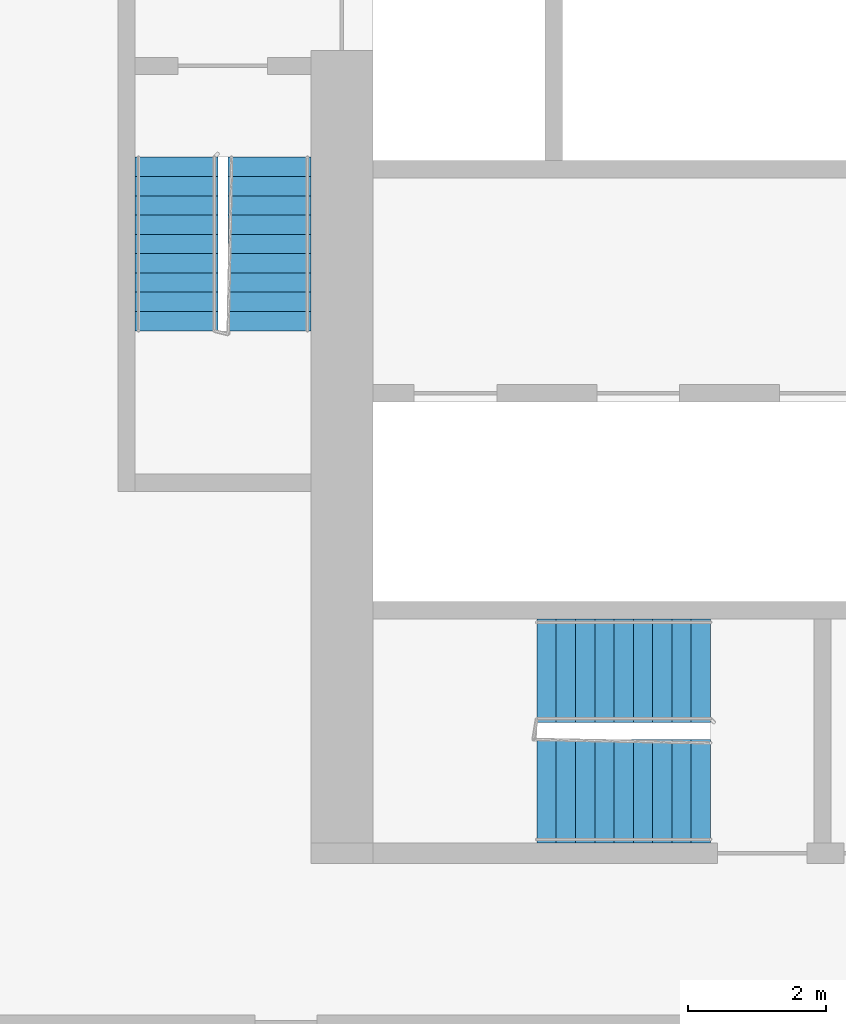
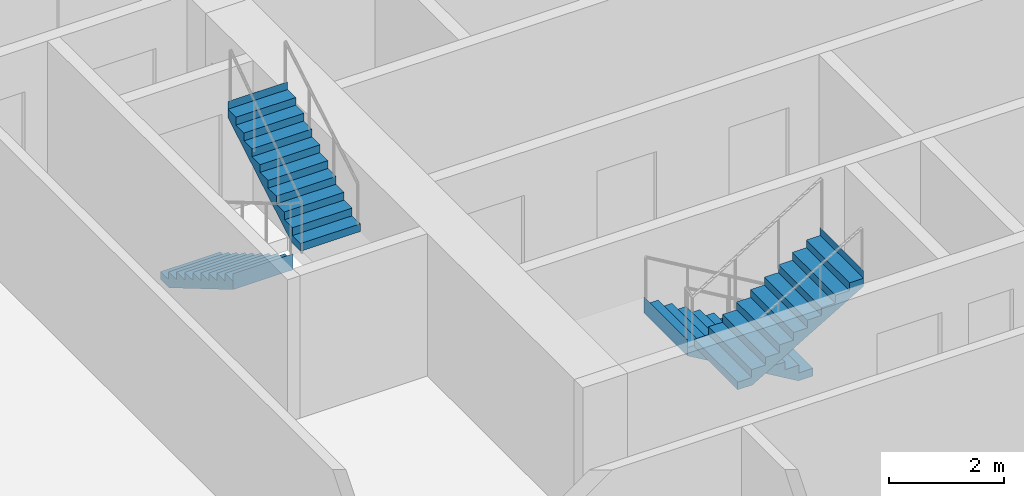
# One storey, part 9 of 12: 4 stair flights, 2 elements without a shape of their own.
"""IFC4 building model written with IfcOpenShell, lengths in metres."""

from ifc_helpers import new_model, si_unit, direction, frame, origin, place, context, subcontext, project, spatial, faceted_brep, material, type_object, element, aggregate, save


model = new_model("IFC4")

# Units and contexts
model_context = context("Model", 3, precision=1e-05, world=origin(), true_north=direction((0.0, 1.0)))
body_context = subcontext(model_context, "Body", "Model", "MODEL_VIEW")
ifc_project = project(units=[si_unit("LENGTHUNIT", "METRE"), si_unit("AREAUNIT", "SQUARE_METRE"), si_unit("VOLUMEUNIT", "CUBIC_METRE"), si_unit("PLANEANGLEUNIT", "RADIAN"), si_unit("MASSUNIT", "GRAM", prefix="KILO")], contexts=[model_context])

# Site, building, storey
site_placement = place(None, origin())
site = spatial("IfcSite", under=ifc_project, at=site_placement, CompositionType="ELEMENT")
building_placement = place(site_placement, origin())
building = spatial("IfcBuilding", under=site, at=building_placement, Name="Kajstack Hotel Tower", CompositionType="ELEMENT")
storey_placement = place(building_placement, frame((0.0, 0.0, 93.0)))
storey = spatial("IfcBuildingStorey", under=building, at=storey_placement, Name="L19", CompositionType="ELEMENT", Elevation=93.0)

# Stair, stair flights
ifc_material = material(Name="Concrete C40/50", Category="concrete")
stair_type_1 = type_object("IfcStairType", Name="Exit stair 1200", PredefinedType="HALF_TURN_STAIR", material=ifc_material)
stair_1_placement = place(storey_placement, origin())
stair_1 = element("IfcStair", 1, at=stair_1_placement, inside=storey, type_object=stair_type_1, Name="L19 stair W1", PredefinedType="HALF_TURN_STAIR")
stair_flight_type_1 = type_object("IfcStairFlightType", Name="Exit stair flight 1200", PredefinedType="STRAIGHT", material=ifc_material)
stair_flight_1_placement = place(storey_placement, frame((-33.449951171875, -5.25, 0.0), z_axis=(0.0, 0.0, 1.0), x_axis=(0.0, -1.0, 0.0)))
stair_flight_1 = element("IfcStairFlight", 2, at=stair_flight_1_placement, type_object=stair_flight_type_1, Name="W1 flight 1", NumberOfRisers=10, NumberOfTreads=9, PredefinedType="STRAIGHT", RiserHeight=0.165, TreadLength=0.28, context=body_context, shape_type="Brep", body=[
    faceted_brep([(0.295654296875, -0.60009765625, 0.0), (2.5205078125, -0.60009765625, 1.31103515625), (2.5205078125, -0.60009765625, 1.64990234375), (2.52001953125, -0.60009765625, 1.64990234375), (2.52001953125, -0.60009765625, 1.485107421875), (2.239990234375, -0.60009765625, 1.485107421875), (2.239990234375, -0.60009765625, 1.320068359375), (1.9599609375, -0.60009765625, 1.320068359375), (1.9599609375, -0.60009765625, 1.155029296875), (1.679931640625, -0.60009765625, 1.155029296875), (1.679931640625, -0.60009765625, 0.989990234375), (1.39990234375, -0.60009765625, 0.989990234375), (1.39990234375, -0.60009765625, 0.824951171875), (1.1201171875, -0.60009765625, 0.824951171875), (1.1201171875, -0.60009765625, 0.659912109375), (0.840087890625, -0.60009765625, 0.659912109375), (0.840087890625, -0.60009765625, 0.4951171875), (0.56005859375, -0.60009765625, 0.4951171875), (0.56005859375, -0.60009765625, 0.330078125), (0.280029296875, -0.60009765625, 0.330078125), (0.280029296875, -0.60009765625, 0.1650390625), (-0.00048828125, -0.60009765625, 0.1650390625), (-0.00048828125, -0.60009765625, 0.0), (-0.00048828125, 0.60009765625, 0.0), (-0.00048828125, 0.60009765625, 0.1650390625), (0.280029296875, 0.60009765625, 0.1650390625), (0.280029296875, 0.60009765625, 0.330078125), (0.56005859375, 0.60009765625, 0.330078125), (0.56005859375, 0.60009765625, 0.4951171875), (0.840087890625, 0.60009765625, 0.4951171875), (0.840087890625, 0.60009765625, 0.659912109375), (1.1201171875, 0.60009765625, 0.659912109375), (1.1201171875, 0.60009765625, 0.824951171875), (1.39990234375, 0.60009765625, 0.824951171875), (1.39990234375, 0.60009765625, 0.989990234375), (1.679931640625, 0.60009765625, 0.989990234375), (1.679931640625, 0.60009765625, 1.155029296875), (1.9599609375, 0.60009765625, 1.155029296875), (1.9599609375, 0.60009765625, 1.320068359375), (2.239990234375, 0.60009765625, 1.320068359375), (2.239990234375, 0.60009765625, 1.485107421875), (2.52001953125, 0.60009765625, 1.485107421875), (2.52001953125, 0.60009765625, 1.64990234375), (2.5205078125, 0.60009765625, 1.64990234375), (2.5205078125, 0.60009765625, 1.31103515625), (0.295654296875, 0.60009765625, 0.0), (-0.00048828125, -0.300048828125, 0.1650390625), (-0.00048828125, 0.0, 0.1650390625), (-0.00048828125, 0.300048828125, 0.1650390625), (-0.00048828125, 0.300048828125, 0.0), (-0.00048828125, 0.0, 0.0), (-0.00048828125, -0.300048828125, 0.0), (0.280029296875, -0.300048828125, 0.1650390625), (0.280029296875, 0.0, 0.1650390625), (0.280029296875, 0.300048828125, 0.1650390625), (0.280029296875, -0.300048828125, 0.330078125), (0.280029296875, 0.0, 0.330078125), (0.280029296875, 0.300048828125, 0.330078125), (0.56005859375, -0.300048828125, 0.330078125), (0.56005859375, 0.0, 0.330078125), (0.56005859375, 0.300048828125, 0.330078125), (0.56005859375, -0.300048828125, 0.4951171875), (0.56005859375, 0.0, 0.4951171875), (0.56005859375, 0.300048828125, 0.4951171875), (0.840087890625, -0.300048828125, 0.4951171875), (0.840087890625, 0.0, 0.4951171875), (0.840087890625, 0.300048828125, 0.4951171875), (0.840087890625, -0.300048828125, 0.659912109375), (0.840087890625, 0.0, 0.659912109375), (0.840087890625, 0.300048828125, 0.659912109375), (1.1201171875, -0.300048828125, 0.659912109375), (1.1201171875, 0.0, 0.659912109375), (1.1201171875, 0.300048828125, 0.659912109375), (1.1201171875, -0.300048828125, 0.824951171875), (1.1201171875, 0.0, 0.824951171875), (1.1201171875, 0.300048828125, 0.824951171875), (1.39990234375, -0.300048828125, 0.824951171875), (1.39990234375, 0.0, 0.824951171875), (1.39990234375, 0.300048828125, 0.824951171875), (1.39990234375, -0.300048828125, 0.989990234375), (1.39990234375, 0.0, 0.989990234375), (1.39990234375, 0.300048828125, 0.989990234375), (1.679931640625, -0.300048828125, 0.989990234375), (1.679931640625, 0.0, 0.989990234375), (1.679931640625, 0.300048828125, 0.989990234375), (1.679931640625, -0.300048828125, 1.155029296875), (1.679931640625, 0.0, 1.155029296875), (1.679931640625, 0.300048828125, 1.155029296875), (1.9599609375, -0.300048828125, 1.155029296875), (1.9599609375, 0.0, 1.155029296875), (1.9599609375, 0.300048828125, 1.155029296875), (1.9599609375, -0.300048828125, 1.320068359375), (1.9599609375, 0.0, 1.320068359375), (1.9599609375, 0.300048828125, 1.320068359375), (2.239990234375, -0.300048828125, 1.320068359375), (2.239990234375, 0.0, 1.320068359375), (2.239990234375, 0.300048828125, 1.320068359375), (2.239990234375, -0.300048828125, 1.485107421875), (2.239990234375, 0.0, 1.485107421875), (2.239990234375, 0.300048828125, 1.485107421875), (2.52001953125, -0.300048828125, 1.485107421875), (2.52001953125, 0.0, 1.485107421875), (2.52001953125, 0.300048828125, 1.485107421875), (2.52001953125, -0.300048828125, 1.64990234375), (2.52001953125, 0.0, 1.64990234375), (2.52001953125, 0.300048828125, 1.64990234375), (2.5205078125, -0.300048828125, 1.64990234375), (2.5205078125, 0.0, 1.64990234375), (2.5205078125, 0.300048828125, 1.64990234375), (2.5205078125, -0.300048828125, 1.31103515625), (2.5205078125, 0.0, 1.31103515625), (2.5205078125, 0.300048828125, 1.31103515625), (0.295654296875, -0.300048828125, 0.0), (0.295654296875, 0.0, 0.0), (0.295654296875, 0.300048828125, 0.0)], [[[0, 1, 2, 3, 4, 5, 6, 7, 8, 9, 10, 11, 12, 13, 14, 15, 16, 17, 18, 19, 20, 21, 22]], [[23, 24, 25, 26, 27, 28, 29, 30, 31, 32, 33, 34, 35, 36, 37, 38, 39, 40, 41, 42, 43, 44, 45]], [[21, 46, 47, 48, 24, 23, 49, 50, 51, 22]], [[20, 52, 53, 54, 25, 24, 48, 47, 46, 21]], [[19, 55, 56, 57, 26, 25, 54, 53, 52, 20]], [[18, 58, 59, 60, 27, 26, 57, 56, 55, 19]], [[17, 61, 62, 63, 28, 27, 60, 59, 58, 18]], [[16, 64, 65, 66, 29, 28, 63, 62, 61, 17]], [[15, 67, 68, 69, 30, 29, 66, 65, 64, 16]], [[14, 70, 71, 72, 31, 30, 69, 68, 67, 15]], [[13, 73, 74, 75, 32, 31, 72, 71, 70, 14]], [[12, 76, 77, 78, 33, 32, 75, 74, 73, 13]], [[11, 79, 80, 81, 34, 33, 78, 77, 76, 12]], [[10, 82, 83, 84, 35, 34, 81, 80, 79, 11]], [[9, 85, 86, 87, 36, 35, 84, 83, 82, 10]], [[8, 88, 89, 90, 37, 36, 87, 86, 85, 9]], [[7, 91, 92, 93, 38, 37, 90, 89, 88, 8]], [[6, 94, 95, 96, 39, 38, 93, 92, 91, 7]], [[5, 97, 98, 99, 40, 39, 96, 95, 94, 6]], [[4, 100, 101, 102, 41, 40, 99, 98, 97, 5]], [[3, 103, 104, 105, 42, 41, 102, 101, 100, 4]], [[2, 106, 107, 108, 43, 42, 105, 104, 103, 3]], [[1, 109, 110, 111, 44, 43, 108, 107, 106, 2]], [[0, 112, 113, 114, 45, 44, 111, 110, 109, 1]], [[22, 51, 50, 49, 23, 45, 114, 113, 112, 0]]]),
])
stair_flight_2_placement = place(storey_placement, frame((-32.10009765625, -7.77001953125, 1.64990234375), z_axis=(0.0, 0.0, 1.0), x_axis=(0.0, 1.0, 0.0)))
stair_flight_2 = element("IfcStairFlight", 3, at=stair_flight_2_placement, type_object=stair_flight_type_1, Name="W1 flight 2", NumberOfRisers=10, NumberOfTreads=9, PredefinedType="STRAIGHT", RiserHeight=0.165, TreadLength=0.28, context=body_context, shape_type="Brep", body=[
    faceted_brep([(0.295654296875, -0.60009765625, 0.0), (2.5205078125, -0.60009765625, 1.31103515625), (2.5205078125, -0.60009765625, 1.64990234375), (2.52001953125, -0.60009765625, 1.64990234375), (2.52001953125, -0.60009765625, 1.485107421875), (2.239990234375, -0.60009765625, 1.485107421875), (2.239990234375, -0.60009765625, 1.320068359375), (1.9599609375, -0.60009765625, 1.320068359375), (1.9599609375, -0.60009765625, 1.155029296875), (1.679931640625, -0.60009765625, 1.155029296875), (1.679931640625, -0.60009765625, 0.989990234375), (1.39990234375, -0.60009765625, 0.989990234375), (1.39990234375, -0.60009765625, 0.824951171875), (1.1201171875, -0.60009765625, 0.824951171875), (1.1201171875, -0.60009765625, 0.659912109375), (0.840087890625, -0.60009765625, 0.659912109375), (0.840087890625, -0.60009765625, 0.4951171875), (0.56005859375, -0.60009765625, 0.4951171875), (0.56005859375, -0.60009765625, 0.330078125), (0.280029296875, -0.60009765625, 0.330078125), (0.280029296875, -0.60009765625, 0.1650390625), (-0.00048828125, -0.60009765625, 0.1650390625), (-0.00048828125, -0.60009765625, 0.0), (-0.00048828125, 0.60009765625, 0.0), (-0.00048828125, 0.60009765625, 0.1650390625), (0.280029296875, 0.60009765625, 0.1650390625), (0.280029296875, 0.60009765625, 0.330078125), (0.56005859375, 0.60009765625, 0.330078125), (0.56005859375, 0.60009765625, 0.4951171875), (0.840087890625, 0.60009765625, 0.4951171875), (0.840087890625, 0.60009765625, 0.659912109375), (1.1201171875, 0.60009765625, 0.659912109375), (1.1201171875, 0.60009765625, 0.824951171875), (1.39990234375, 0.60009765625, 0.824951171875), (1.39990234375, 0.60009765625, 0.989990234375), (1.679931640625, 0.60009765625, 0.989990234375), (1.679931640625, 0.60009765625, 1.155029296875), (1.9599609375, 0.60009765625, 1.155029296875), (1.9599609375, 0.60009765625, 1.320068359375), (2.239990234375, 0.60009765625, 1.320068359375), (2.239990234375, 0.60009765625, 1.485107421875), (2.52001953125, 0.60009765625, 1.485107421875), (2.52001953125, 0.60009765625, 1.64990234375), (2.5205078125, 0.60009765625, 1.64990234375), (2.5205078125, 0.60009765625, 1.31103515625), (0.295654296875, 0.60009765625, 0.0), (-0.00048828125, -0.300048828125, 0.1650390625), (-0.00048828125, 0.0, 0.1650390625), (-0.00048828125, 0.300048828125, 0.1650390625), (-0.00048828125, 0.300048828125, 0.0), (-0.00048828125, 0.0, 0.0), (-0.00048828125, -0.300048828125, 0.0), (0.280029296875, -0.300048828125, 0.1650390625), (0.280029296875, 0.0, 0.1650390625), (0.280029296875, 0.300048828125, 0.1650390625), (0.280029296875, -0.300048828125, 0.330078125), (0.280029296875, 0.0, 0.330078125), (0.280029296875, 0.300048828125, 0.330078125), (0.56005859375, -0.300048828125, 0.330078125), (0.56005859375, 0.0, 0.330078125), (0.56005859375, 0.300048828125, 0.330078125), (0.56005859375, -0.300048828125, 0.4951171875), (0.56005859375, 0.0, 0.4951171875), (0.56005859375, 0.300048828125, 0.4951171875), (0.840087890625, -0.300048828125, 0.4951171875), (0.840087890625, 0.0, 0.4951171875), (0.840087890625, 0.300048828125, 0.4951171875), (0.840087890625, -0.300048828125, 0.659912109375), (0.840087890625, 0.0, 0.659912109375), (0.840087890625, 0.300048828125, 0.659912109375), (1.1201171875, -0.300048828125, 0.659912109375), (1.1201171875, 0.0, 0.659912109375), (1.1201171875, 0.300048828125, 0.659912109375), (1.1201171875, -0.300048828125, 0.824951171875), (1.1201171875, 0.0, 0.824951171875), (1.1201171875, 0.300048828125, 0.824951171875), (1.39990234375, -0.300048828125, 0.824951171875), (1.39990234375, 0.0, 0.824951171875), (1.39990234375, 0.300048828125, 0.824951171875), (1.39990234375, -0.300048828125, 0.989990234375), (1.39990234375, 0.0, 0.989990234375), (1.39990234375, 0.300048828125, 0.989990234375), (1.679931640625, -0.300048828125, 0.989990234375), (1.679931640625, 0.0, 0.989990234375), (1.679931640625, 0.300048828125, 0.989990234375), (1.679931640625, -0.300048828125, 1.155029296875), (1.679931640625, 0.0, 1.155029296875), (1.679931640625, 0.300048828125, 1.155029296875), (1.9599609375, -0.300048828125, 1.155029296875), (1.9599609375, 0.0, 1.155029296875), (1.9599609375, 0.300048828125, 1.155029296875), (1.9599609375, -0.300048828125, 1.320068359375), (1.9599609375, 0.0, 1.320068359375), (1.9599609375, 0.300048828125, 1.320068359375), (2.239990234375, -0.300048828125, 1.320068359375), (2.239990234375, 0.0, 1.320068359375), (2.239990234375, 0.300048828125, 1.320068359375), (2.239990234375, -0.300048828125, 1.485107421875), (2.239990234375, 0.0, 1.485107421875), (2.239990234375, 0.300048828125, 1.485107421875), (2.52001953125, -0.300048828125, 1.485107421875), (2.52001953125, 0.0, 1.485107421875), (2.52001953125, 0.300048828125, 1.485107421875), (2.52001953125, -0.300048828125, 1.64990234375), (2.52001953125, 0.0, 1.64990234375), (2.52001953125, 0.300048828125, 1.64990234375), (2.5205078125, -0.300048828125, 1.64990234375), (2.5205078125, 0.0, 1.64990234375), (2.5205078125, 0.300048828125, 1.64990234375), (2.5205078125, -0.300048828125, 1.31103515625), (2.5205078125, 0.0, 1.31103515625), (2.5205078125, 0.300048828125, 1.31103515625), (0.295654296875, -0.300048828125, 0.0), (0.295654296875, 0.0, 0.0), (0.295654296875, 0.300048828125, 0.0)], [[[0, 1, 2, 3, 4, 5, 6, 7, 8, 9, 10, 11, 12, 13, 14, 15, 16, 17, 18, 19, 20, 21, 22]], [[23, 24, 25, 26, 27, 28, 29, 30, 31, 32, 33, 34, 35, 36, 37, 38, 39, 40, 41, 42, 43, 44, 45]], [[21, 46, 47, 48, 24, 23, 49, 50, 51, 22]], [[20, 52, 53, 54, 25, 24, 48, 47, 46, 21]], [[19, 55, 56, 57, 26, 25, 54, 53, 52, 20]], [[18, 58, 59, 60, 27, 26, 57, 56, 55, 19]], [[17, 61, 62, 63, 28, 27, 60, 59, 58, 18]], [[16, 64, 65, 66, 29, 28, 63, 62, 61, 17]], [[15, 67, 68, 69, 30, 29, 66, 65, 64, 16]], [[14, 70, 71, 72, 31, 30, 69, 68, 67, 15]], [[13, 73, 74, 75, 32, 31, 72, 71, 70, 14]], [[12, 76, 77, 78, 33, 32, 75, 74, 73, 13]], [[11, 79, 80, 81, 34, 33, 78, 77, 76, 12]], [[10, 82, 83, 84, 35, 34, 81, 80, 79, 11]], [[9, 85, 86, 87, 36, 35, 84, 83, 82, 10]], [[8, 88, 89, 90, 37, 36, 87, 86, 85, 9]], [[7, 91, 92, 93, 38, 37, 90, 89, 88, 8]], [[6, 94, 95, 96, 39, 38, 93, 92, 91, 7]], [[5, 97, 98, 99, 40, 39, 96, 95, 94, 6]], [[4, 100, 101, 102, 41, 40, 99, 98, 97, 5]], [[3, 103, 104, 105, 42, 41, 102, 101, 100, 4]], [[2, 106, 107, 108, 43, 42, 105, 104, 103, 3]], [[1, 109, 110, 111, 44, 43, 108, 107, 106, 2]], [[0, 112, 113, 114, 45, 44, 111, 110, 109, 1]], [[22, 51, 50, 49, 23, 45, 114, 113, 112, 0]]]),
])
aggregate(stair_1, [stair_flight_1, stair_flight_2])

stair_type_2 = type_object("IfcStairType", Name="Exit stair 1500", PredefinedType="HALF_TURN_STAIR", material=ifc_material)
stair_2_placement = place(storey_placement, origin())
stair_2 = element("IfcStair", 4, at=stair_2_placement, inside=storey, type_object=stair_type_2, Name="L19 stair W3", PredefinedType="HALF_TURN_STAIR")
stair_flight_type_2 = type_object("IfcStairFlightType", Name="Exit stair flight 1500", PredefinedType="STRAIGHT", material=ifc_material)
stair_flight_3_placement = place(storey_placement, frame((-25.699951171875, -12.699951171875, 0.0), z_axis=(0.0, 0.0, 1.0), x_axis=(-1.0, 0.0, 0.0)))
stair_flight_3 = element("IfcStairFlight", 5, at=stair_flight_3_placement, type_object=stair_flight_type_2, Name="W3 flight 1", NumberOfRisers=10, NumberOfTreads=9, PredefinedType="STRAIGHT", RiserHeight=0.165, TreadLength=0.28, context=body_context, shape_type="Brep", body=[
    faceted_brep([(0.295654296875, -0.75, 0.0), (2.5205078125, -0.75, 1.31103515625), (2.5205078125, -0.75, 1.64990234375), (2.52001953125, -0.75, 1.64990234375), (2.52001953125, -0.75, 1.485107421875), (2.239990234375, -0.75, 1.485107421875), (2.239990234375, -0.75, 1.320068359375), (1.9599609375, -0.75, 1.320068359375), (1.9599609375, -0.75, 1.155029296875), (1.679931640625, -0.75, 1.155029296875), (1.679931640625, -0.75, 0.989990234375), (1.39990234375, -0.75, 0.989990234375), (1.39990234375, -0.75, 0.824951171875), (1.1201171875, -0.75, 0.824951171875), (1.1201171875, -0.75, 0.659912109375), (0.840087890625, -0.75, 0.659912109375), (0.840087890625, -0.75, 0.4951171875), (0.56005859375, -0.75, 0.4951171875), (0.56005859375, -0.75, 0.330078125), (0.280029296875, -0.75, 0.330078125), (0.280029296875, -0.75, 0.1650390625), (-0.00048828125, -0.75, 0.1650390625), (-0.00048828125, -0.75, 0.0), (-0.00048828125, 0.75, 0.0), (-0.00048828125, 0.75, 0.1650390625), (0.280029296875, 0.75, 0.1650390625), (0.280029296875, 0.75, 0.330078125), (0.56005859375, 0.75, 0.330078125), (0.56005859375, 0.75, 0.4951171875), (0.840087890625, 0.75, 0.4951171875), (0.840087890625, 0.75, 0.659912109375), (1.1201171875, 0.75, 0.659912109375), (1.1201171875, 0.75, 0.824951171875), (1.39990234375, 0.75, 0.824951171875), (1.39990234375, 0.75, 0.989990234375), (1.679931640625, 0.75, 0.989990234375), (1.679931640625, 0.75, 1.155029296875), (1.9599609375, 0.75, 1.155029296875), (1.9599609375, 0.75, 1.320068359375), (2.239990234375, 0.75, 1.320068359375), (2.239990234375, 0.75, 1.485107421875), (2.52001953125, 0.75, 1.485107421875), (2.52001953125, 0.75, 1.64990234375), (2.5205078125, 0.75, 1.64990234375), (2.5205078125, 0.75, 1.31103515625), (0.295654296875, 0.75, 0.0), (-0.00048828125, -0.375, 0.1650390625), (-0.00048828125, 0.0, 0.1650390625), (-0.00048828125, 0.375, 0.1650390625), (-0.00048828125, 0.375, 0.0), (-0.00048828125, 0.0, 0.0), (-0.00048828125, -0.375, 0.0), (0.280029296875, -0.375, 0.1650390625), (0.280029296875, 0.0, 0.1650390625), (0.280029296875, 0.375, 0.1650390625), (0.280029296875, -0.375, 0.330078125), (0.280029296875, 0.0, 0.330078125), (0.280029296875, 0.375, 0.330078125), (0.56005859375, -0.375, 0.330078125), (0.56005859375, 0.0, 0.330078125), (0.56005859375, 0.375, 0.330078125), (0.56005859375, -0.375, 0.4951171875), (0.56005859375, 0.0, 0.4951171875), (0.56005859375, 0.375, 0.4951171875), (0.840087890625, -0.375, 0.4951171875), (0.840087890625, 0.0, 0.4951171875), (0.840087890625, 0.375, 0.4951171875), (0.840087890625, -0.375, 0.659912109375), (0.840087890625, 0.0, 0.659912109375), (0.840087890625, 0.375, 0.659912109375), (1.1201171875, -0.375, 0.659912109375), (1.1201171875, 0.0, 0.659912109375), (1.1201171875, 0.375, 0.659912109375), (1.1201171875, -0.375, 0.824951171875), (1.1201171875, 0.0, 0.824951171875), (1.1201171875, 0.375, 0.824951171875), (1.39990234375, -0.375, 0.824951171875), (1.39990234375, 0.0, 0.824951171875), (1.39990234375, 0.375, 0.824951171875), (1.39990234375, -0.375, 0.989990234375), (1.39990234375, 0.0, 0.989990234375), (1.39990234375, 0.375, 0.989990234375), (1.679931640625, -0.375, 0.989990234375), (1.679931640625, 0.0, 0.989990234375), (1.679931640625, 0.375, 0.989990234375), (1.679931640625, -0.375, 1.155029296875), (1.679931640625, 0.0, 1.155029296875), (1.679931640625, 0.375, 1.155029296875), (1.9599609375, -0.375, 1.155029296875), (1.9599609375, 0.0, 1.155029296875), (1.9599609375, 0.375, 1.155029296875), (1.9599609375, -0.375, 1.320068359375), (1.9599609375, 0.0, 1.320068359375), (1.9599609375, 0.375, 1.320068359375), (2.239990234375, -0.375, 1.320068359375), (2.239990234375, 0.0, 1.320068359375), (2.239990234375, 0.375, 1.320068359375), (2.239990234375, -0.375, 1.485107421875), (2.239990234375, 0.0, 1.485107421875), (2.239990234375, 0.375, 1.485107421875), (2.52001953125, -0.375, 1.485107421875), (2.52001953125, 0.0, 1.485107421875), (2.52001953125, 0.375, 1.485107421875), (2.52001953125, -0.375, 1.64990234375), (2.52001953125, 0.0, 1.64990234375), (2.52001953125, 0.375, 1.64990234375), (2.5205078125, -0.375, 1.64990234375), (2.5205078125, 0.0, 1.64990234375), (2.5205078125, 0.375, 1.64990234375), (2.5205078125, -0.375, 1.31103515625), (2.5205078125, 0.0, 1.31103515625), (2.5205078125, 0.375, 1.31103515625), (0.295654296875, -0.375, 0.0), (0.295654296875, 0.0, 0.0), (0.295654296875, 0.375, 0.0)], [[[0, 1, 2, 3, 4, 5, 6, 7, 8, 9, 10, 11, 12, 13, 14, 15, 16, 17, 18, 19, 20, 21, 22]], [[23, 24, 25, 26, 27, 28, 29, 30, 31, 32, 33, 34, 35, 36, 37, 38, 39, 40, 41, 42, 43, 44, 45]], [[21, 46, 47, 48, 24, 23, 49, 50, 51, 22]], [[20, 52, 53, 54, 25, 24, 48, 47, 46, 21]], [[19, 55, 56, 57, 26, 25, 54, 53, 52, 20]], [[18, 58, 59, 60, 27, 26, 57, 56, 55, 19]], [[17, 61, 62, 63, 28, 27, 60, 59, 58, 18]], [[16, 64, 65, 66, 29, 28, 63, 62, 61, 17]], [[15, 67, 68, 69, 30, 29, 66, 65, 64, 16]], [[14, 70, 71, 72, 31, 30, 69, 68, 67, 15]], [[13, 73, 74, 75, 32, 31, 72, 71, 70, 14]], [[12, 76, 77, 78, 33, 32, 75, 74, 73, 13]], [[11, 79, 80, 81, 34, 33, 78, 77, 76, 12]], [[10, 82, 83, 84, 35, 34, 81, 80, 79, 11]], [[9, 85, 86, 87, 36, 35, 84, 83, 82, 10]], [[8, 88, 89, 90, 37, 36, 87, 86, 85, 9]], [[7, 91, 92, 93, 38, 37, 90, 89, 88, 8]], [[6, 94, 95, 96, 39, 38, 93, 92, 91, 7]], [[5, 97, 98, 99, 40, 39, 96, 95, 94, 6]], [[4, 100, 101, 102, 41, 40, 99, 98, 97, 5]], [[3, 103, 104, 105, 42, 41, 102, 101, 100, 4]], [[2, 106, 107, 108, 43, 42, 105, 104, 103, 3]], [[1, 109, 110, 111, 44, 43, 108, 107, 106, 2]], [[0, 112, 113, 114, 45, 44, 111, 110, 109, 1]], [[22, 51, 50, 49, 23, 45, 114, 113, 112, 0]]]),
])
stair_flight_4_placement = place(storey_placement, frame((-28.219970703125, -14.449951171875, 1.64990234375), z_axis=(0.0, 0.0, 1.0), x_axis=(1.0, 0.0, 0.0)))
stair_flight_4 = element("IfcStairFlight", 6, at=stair_flight_4_placement, type_object=stair_flight_type_2, Name="W3 flight 2", NumberOfRisers=10, NumberOfTreads=9, PredefinedType="STRAIGHT", RiserHeight=0.165, TreadLength=0.28, context=body_context, shape_type="Brep", body=[
    faceted_brep([(0.295654296875, -0.75, 0.0), (2.5205078125, -0.75, 1.31103515625), (2.5205078125, -0.75, 1.64990234375), (2.52001953125, -0.75, 1.64990234375), (2.52001953125, -0.75, 1.485107421875), (2.239990234375, -0.75, 1.485107421875), (2.239990234375, -0.75, 1.320068359375), (1.9599609375, -0.75, 1.320068359375), (1.9599609375, -0.75, 1.155029296875), (1.679931640625, -0.75, 1.155029296875), (1.679931640625, -0.75, 0.989990234375), (1.39990234375, -0.75, 0.989990234375), (1.39990234375, -0.75, 0.824951171875), (1.1201171875, -0.75, 0.824951171875), (1.1201171875, -0.75, 0.659912109375), (0.840087890625, -0.75, 0.659912109375), (0.840087890625, -0.75, 0.4951171875), (0.56005859375, -0.75, 0.4951171875), (0.56005859375, -0.75, 0.330078125), (0.280029296875, -0.75, 0.330078125), (0.280029296875, -0.75, 0.1650390625), (-0.00048828125, -0.75, 0.1650390625), (-0.00048828125, -0.75, 0.0), (-0.00048828125, 0.75, 0.0), (-0.00048828125, 0.75, 0.1650390625), (0.280029296875, 0.75, 0.1650390625), (0.280029296875, 0.75, 0.330078125), (0.56005859375, 0.75, 0.330078125), (0.56005859375, 0.75, 0.4951171875), (0.840087890625, 0.75, 0.4951171875), (0.840087890625, 0.75, 0.659912109375), (1.1201171875, 0.75, 0.659912109375), (1.1201171875, 0.75, 0.824951171875), (1.39990234375, 0.75, 0.824951171875), (1.39990234375, 0.75, 0.989990234375), (1.679931640625, 0.75, 0.989990234375), (1.679931640625, 0.75, 1.155029296875), (1.9599609375, 0.75, 1.155029296875), (1.9599609375, 0.75, 1.320068359375), (2.239990234375, 0.75, 1.320068359375), (2.239990234375, 0.75, 1.485107421875), (2.52001953125, 0.75, 1.485107421875), (2.52001953125, 0.75, 1.64990234375), (2.5205078125, 0.75, 1.64990234375), (2.5205078125, 0.75, 1.31103515625), (0.295654296875, 0.75, 0.0), (-0.00048828125, -0.375, 0.1650390625), (-0.00048828125, 0.0, 0.1650390625), (-0.00048828125, 0.375, 0.1650390625), (-0.00048828125, 0.375, 0.0), (-0.00048828125, 0.0, 0.0), (-0.00048828125, -0.375, 0.0), (0.280029296875, -0.375, 0.1650390625), (0.280029296875, 0.0, 0.1650390625), (0.280029296875, 0.375, 0.1650390625), (0.280029296875, -0.375, 0.330078125), (0.280029296875, 0.0, 0.330078125), (0.280029296875, 0.375, 0.330078125), (0.56005859375, -0.375, 0.330078125), (0.56005859375, 0.0, 0.330078125), (0.56005859375, 0.375, 0.330078125), (0.56005859375, -0.375, 0.4951171875), (0.56005859375, 0.0, 0.4951171875), (0.56005859375, 0.375, 0.4951171875), (0.840087890625, -0.375, 0.4951171875), (0.840087890625, 0.0, 0.4951171875), (0.840087890625, 0.375, 0.4951171875), (0.840087890625, -0.375, 0.659912109375), (0.840087890625, 0.0, 0.659912109375), (0.840087890625, 0.375, 0.659912109375), (1.1201171875, -0.375, 0.659912109375), (1.1201171875, 0.0, 0.659912109375), (1.1201171875, 0.375, 0.659912109375), (1.1201171875, -0.375, 0.824951171875), (1.1201171875, 0.0, 0.824951171875), (1.1201171875, 0.375, 0.824951171875), (1.39990234375, -0.375, 0.824951171875), (1.39990234375, 0.0, 0.824951171875), (1.39990234375, 0.375, 0.824951171875), (1.39990234375, -0.375, 0.989990234375), (1.39990234375, 0.0, 0.989990234375), (1.39990234375, 0.375, 0.989990234375), (1.679931640625, -0.375, 0.989990234375), (1.679931640625, 0.0, 0.989990234375), (1.679931640625, 0.375, 0.989990234375), (1.679931640625, -0.375, 1.155029296875), (1.679931640625, 0.0, 1.155029296875), (1.679931640625, 0.375, 1.155029296875), (1.9599609375, -0.375, 1.155029296875), (1.9599609375, 0.0, 1.155029296875), (1.9599609375, 0.375, 1.155029296875), (1.9599609375, -0.375, 1.320068359375), (1.9599609375, 0.0, 1.320068359375), (1.9599609375, 0.375, 1.320068359375), (2.239990234375, -0.375, 1.320068359375), (2.239990234375, 0.0, 1.320068359375), (2.239990234375, 0.375, 1.320068359375), (2.239990234375, -0.375, 1.485107421875), (2.239990234375, 0.0, 1.485107421875), (2.239990234375, 0.375, 1.485107421875), (2.52001953125, -0.375, 1.485107421875), (2.52001953125, 0.0, 1.485107421875), (2.52001953125, 0.375, 1.485107421875), (2.52001953125, -0.375, 1.64990234375), (2.52001953125, 0.0, 1.64990234375), (2.52001953125, 0.375, 1.64990234375), (2.5205078125, -0.375, 1.64990234375), (2.5205078125, 0.0, 1.64990234375), (2.5205078125, 0.375, 1.64990234375), (2.5205078125, -0.375, 1.31103515625), (2.5205078125, 0.0, 1.31103515625), (2.5205078125, 0.375, 1.31103515625), (0.295654296875, -0.375, 0.0), (0.295654296875, 0.0, 0.0), (0.295654296875, 0.375, 0.0)], [[[0, 1, 2, 3, 4, 5, 6, 7, 8, 9, 10, 11, 12, 13, 14, 15, 16, 17, 18, 19, 20, 21, 22]], [[23, 24, 25, 26, 27, 28, 29, 30, 31, 32, 33, 34, 35, 36, 37, 38, 39, 40, 41, 42, 43, 44, 45]], [[21, 46, 47, 48, 24, 23, 49, 50, 51, 22]], [[20, 52, 53, 54, 25, 24, 48, 47, 46, 21]], [[19, 55, 56, 57, 26, 25, 54, 53, 52, 20]], [[18, 58, 59, 60, 27, 26, 57, 56, 55, 19]], [[17, 61, 62, 63, 28, 27, 60, 59, 58, 18]], [[16, 64, 65, 66, 29, 28, 63, 62, 61, 17]], [[15, 67, 68, 69, 30, 29, 66, 65, 64, 16]], [[14, 70, 71, 72, 31, 30, 69, 68, 67, 15]], [[13, 73, 74, 75, 32, 31, 72, 71, 70, 14]], [[12, 76, 77, 78, 33, 32, 75, 74, 73, 13]], [[11, 79, 80, 81, 34, 33, 78, 77, 76, 12]], [[10, 82, 83, 84, 35, 34, 81, 80, 79, 11]], [[9, 85, 86, 87, 36, 35, 84, 83, 82, 10]], [[8, 88, 89, 90, 37, 36, 87, 86, 85, 9]], [[7, 91, 92, 93, 38, 37, 90, 89, 88, 8]], [[6, 94, 95, 96, 39, 38, 93, 92, 91, 7]], [[5, 97, 98, 99, 40, 39, 96, 95, 94, 6]], [[4, 100, 101, 102, 41, 40, 99, 98, 97, 5]], [[3, 103, 104, 105, 42, 41, 102, 101, 100, 4]], [[2, 106, 107, 108, 43, 42, 105, 104, 103, 3]], [[1, 109, 110, 111, 44, 43, 108, 107, 106, 2]], [[0, 112, 113, 114, 45, 44, 111, 110, 109, 1]], [[22, 51, 50, 49, 23, 45, 114, 113, 112, 0]]]),
])
aggregate(stair_2, [stair_flight_3, stair_flight_4])

save(model, "model.ifc")
